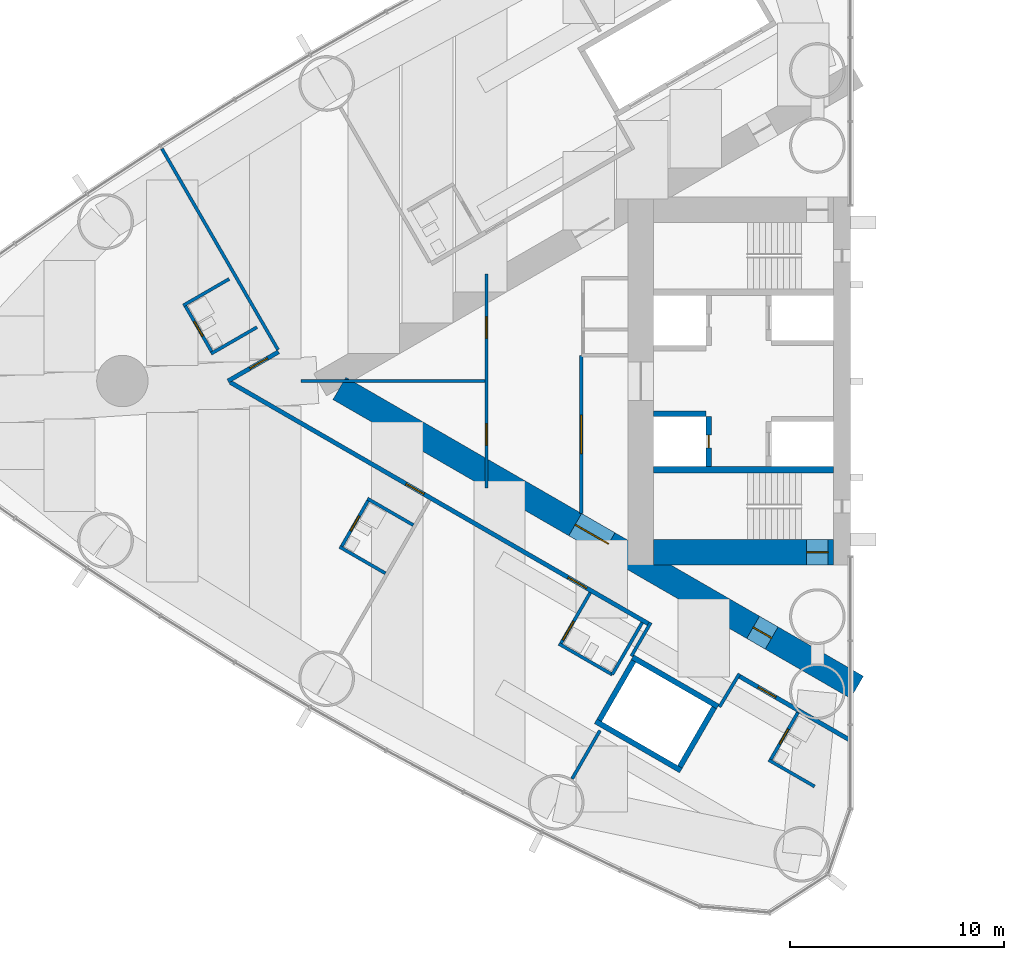
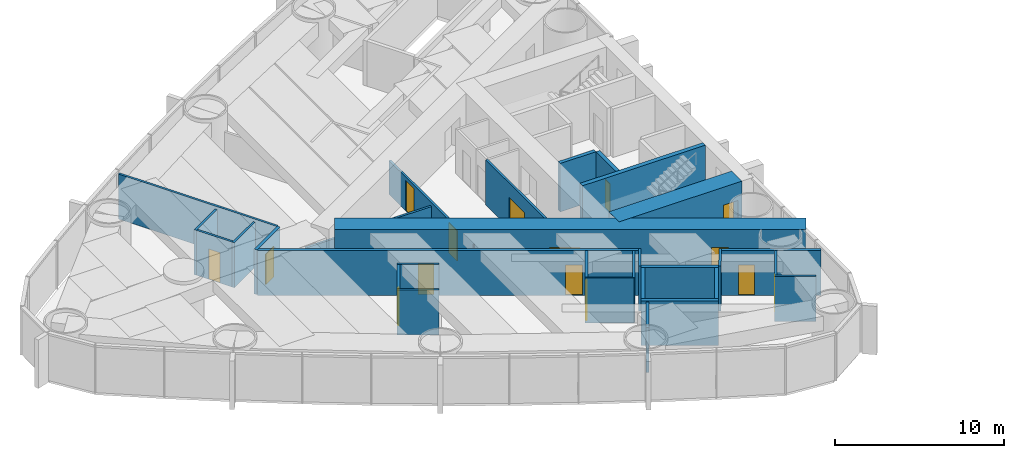
# One storey, part 11 of 19: 30 walls, 15 doors, 15 openings.
"""IFC4 building model written with IfcOpenShell, lengths in metres."""

from ifc_helpers import new_model, si_unit, direction, frame, frame_2d, origin, place, context, subcontext, project, spatial, rectangle, extrude, material, layer, layer_set, type_object, element, fill, save


model = new_model("IFC4")

# Units and contexts
model_context = context("Model", 3, precision=1e-05, world=origin(), true_north=direction((0.0, 1.0)))
body_context = subcontext(model_context, "Body", "Model", "MODEL_VIEW")
ifc_project = project(units=[si_unit("LENGTHUNIT", "METRE"), si_unit("AREAUNIT", "SQUARE_METRE"), si_unit("VOLUMEUNIT", "CUBIC_METRE"), si_unit("PLANEANGLEUNIT", "RADIAN"), si_unit("MASSUNIT", "GRAM", prefix="KILO")], contexts=[model_context])

# Site, building, storey
site_placement = place(None, origin())
site = spatial("IfcSite", under=ifc_project, at=site_placement, CompositionType="ELEMENT")
building_placement = place(site_placement, origin())
building = spatial("IfcBuilding", under=site, at=building_placement, Name="Lancet Gate Hotel", CompositionType="ELEMENT")
storey_placement = place(building_placement, frame((0.0, 0.0, 122.10009765625)))
storey = spatial("IfcBuildingStorey", under=building, at=storey_placement, Name="L32", CompositionType="ELEMENT", Elevation=122.10009765625)

# Wall
ifc_material_1 = material(Name="Moisture resistant board partition")
ifc_layer_1 = layer(ifc_material_1, 0.14990234375)
ifc_layer_set_1 = layer_set([ifc_layer_1], Name="Bathroom wall 150")
wall_type_1 = type_object("IfcWallType", Name="Bathroom wall 150", PredefinedType="PARTITIONING", material=ifc_layer_set_1)
wall_1_placement = place(storey_placement, frame((-56.51708984375, 4.763916015625, 0.0), z_axis=(0.0, 0.0, 1.0), x_axis=(-0.866031185235, -0.4999899861, 0.0)))
element("IfcWall", 1, at=wall_1_placement, inside=storey, type_object=wall_type_1, Name="T1 bathroom wall 150 L32", PredefinedType="PARTITIONING", context=body_context, shape_type="SweptSolid", body=[
    extrude(rectangle(XDim=2.47509765625, YDim=0.14990234375, at=frame_2d((1.237548828125, 0.0))), origin(), (0.0, 0.0, 1.0), 3.25),
])

# Wall, opening, door
wall_2_placement = place(storey_placement, frame((-57.295654296875, 1.312255859375, 0.0), z_axis=(0.0, 0.0, 1.0), x_axis=(-0.49997716683, 0.86603858612, 0.0)))
wall_2 = element("IfcWall", 2, at=wall_2_placement, inside=storey, type_object=wall_type_1, Name="T1 bathroom wall 150 L32", PredefinedType="PARTITIONING", context=body_context, shape_type="SweptSolid", body=[
    extrude(rectangle(XDim=2.599609375, YDim=0.14990234375, at=frame_2d((1.2998046875, 0.0))), origin(), (0.0, 0.0, 1.0), 3.25),
])
opening_1_placement = place(wall_2_placement, frame((0.89990234375, 0.0, 0.0)))
opening_1 = element("IfcOpeningElement", 3, at=opening_1_placement, cuts=wall_2, Name="Opening 3204-B", PredefinedType="OPENING", context=body_context, shape_type="SweptSolid", body=[
    extrude(rectangle(XDim=0.800048828125, YDim=2.199951171875, at=frame_2d((0.39990234375, 1.10009765625))), frame((0.0, 0.0849609375, 0.0), z_axis=(0.0, -1.0, 0.0), x_axis=(1.0, 0.0, 0.0)), (0.0, 0.0, 1.0), 0.169921875),
])
ifc_material_2 = material(Name="Timber door set", Category="wood")
door_type_1 = type_object("IfcDoorType", Name="Bathroom door 800", OperationType="SINGLE_SWING_RIGHT", PredefinedType="DOOR", material=ifc_material_2)
door_1_placement = place(opening_1_placement, origin())
door_1 = element("IfcDoor", 4, at=door_1_placement, inside=storey, type_object=door_type_1, Name="3204-B", OperationType="SINGLE_SWING_RIGHT", OverallHeight=2.199951171875, OverallWidth=0.800048828125, PredefinedType="DOOR", context=body_context, shape_type="SweptSolid", body=[
    extrude(rectangle(XDim=0.800048828125, YDim=2.199951171875, at=frame_2d((0.39990234375, 1.10009765625))), frame((0.0, 0.02490234375, 0.0), z_axis=(0.0, -1.0, 0.0), x_axis=(1.0, 0.0, 0.0)), (0.0, 0.0, 1.0), 0.050048828125),
])
fill(opening_1, door_1)

# Walls
for number, where, z_axis, x_axis, name in (
    (5, (-55.217041015625, 2.51220703125, 0.0), (0.0, 0.0, 1.0), (-0.866031185235, -0.4999899861, 0.0), "T1 bathroom wall 150 L32"),
    (6, (-49.216064453125, -8.97900390625, 0.0), (0.0, 0.0, 1.0), (-0.866031185235, 0.4999899861, 0.0), "T1 bathroom wall 150 L32"),
):
    element("IfcWall", number, at=place(storey_placement, frame(where, z_axis=z_axis, x_axis=x_axis)), inside=storey, type_object=wall_type_1, Name=name, PredefinedType="PARTITIONING", context=body_context, shape_type="SweptSolid", body=[
        extrude(rectangle(XDim=2.47509765625, YDim=0.14990234375, at=frame_2d((1.237548828125, 0.0))), origin(), (0.0, 0.0, 1.0), 3.25),
    ])

# Wall, opening, door
wall_3_placement = place(storey_placement, frame((-49.99462890625, -5.52734375, 0.0), z_axis=(0.0, 0.0, 1.0), x_axis=(-0.500006934395, -0.866021400173, 0.0)))
wall_3 = element("IfcWall", 7, at=wall_3_placement, inside=storey, type_object=wall_type_1, Name="T1 bathroom wall 150 L32", PredefinedType="PARTITIONING", context=body_context, shape_type="SweptSolid", body=[
    extrude(rectangle(XDim=2.60009765625, YDim=0.14990234375, at=frame_2d((1.300048828125, 0.0))), origin(), (0.0, 0.0, 1.0), 3.25),
])
opening_2_placement = place(wall_3_placement, frame((0.89990234375, 0.0, 0.0)))
opening_2 = element("IfcOpeningElement", 8, at=opening_2_placement, cuts=wall_3, Name="Opening 3205-B", PredefinedType="OPENING", context=body_context, shape_type="SweptSolid", body=[
    extrude(rectangle(XDim=0.800048828125, YDim=2.199951171875, at=frame_2d((0.39990234375, 1.10009765625))), frame((0.0, 0.0849609375, 0.0), z_axis=(0.0, -1.0, 0.0), x_axis=(1.0, 0.0, 0.0)), (0.0, 0.0, 1.0), 0.169921875),
])
door_2_placement = place(opening_2_placement, origin())
door_2 = element("IfcDoor", 9, at=door_2_placement, inside=storey, type_object=door_type_1, Name="3205-B", OperationType="SINGLE_SWING_RIGHT", OverallHeight=2.199951171875, OverallWidth=0.800048828125, PredefinedType="DOOR", context=body_context, shape_type="SweptSolid", body=[
    extrude(rectangle(XDim=0.800048828125, YDim=2.199951171875, at=frame_2d((0.39990234375, 1.10009765625))), frame((0.0, 0.02490234375, 0.0), z_axis=(0.0, -1.0, 0.0), x_axis=(1.0, 0.0, 0.0)), (0.0, 0.0, 1.0), 0.050048828125),
])
fill(opening_2, door_2)

# Walls
wall_4_placement = place(storey_placement, frame((-47.916015625, -6.727294921875, 0.0), z_axis=(0.0, 0.0, 1.0), x_axis=(-0.866031185235, 0.4999899861, 0.0)))
element("IfcWall", 10, at=wall_4_placement, inside=storey, type_object=wall_type_1, Name="T1 bathroom wall 150 L32", PredefinedType="PARTITIONING", context=body_context, shape_type="SweptSolid", body=[
    extrude(rectangle(XDim=2.47509765625, YDim=0.14990234375, at=frame_2d((1.237548828125, 0.0))), origin(), (0.0, 0.0, 1.0), 3.25),
])
wall_5_placement = place(storey_placement, frame((-38.630126953125, -13.705322265625, 0.0), z_axis=(0.0, 0.0, 1.0), x_axis=(-0.866018712932, 0.500011588718, 0.0)))
element("IfcWall", 11, at=wall_5_placement, inside=storey, type_object=wall_type_1, Name="T1 bathroom wall 150 L32", PredefinedType="PARTITIONING", context=body_context, shape_type="SweptSolid", body=[
    extrude(rectangle(XDim=2.875, YDim=0.14990234375, at=frame_2d((1.4375, 0.0))), origin(), (0.0, 0.0, 1.0), 3.25),
])

# Wall, opening, door
wall_6_placement = place(storey_placement, frame((-39.65478515625, -9.88037109375, 0.0), z_axis=(0.0, 0.0, 1.0), x_axis=(-0.500049511043, -0.865996816683, 0.0)))
wall_6 = element("IfcWall", 12, at=wall_6_placement, inside=storey, type_object=wall_type_1, Name="T1 bathroom wall 150 L32", PredefinedType="PARTITIONING", context=body_context, shape_type="SweptSolid", body=[
    extrude(rectangle(XDim=2.800048828125, YDim=0.14990234375, at=frame_2d((1.39990234375, 0.0))), origin(), (0.0, 0.0, 1.0), 3.25),
])
opening_3_placement = place(wall_6_placement, frame((1.550048828125, 0.0, 0.0)))
opening_3 = element("IfcOpeningElement", 13, at=opening_3_placement, cuts=wall_6, Name="Opening 3207-B", PredefinedType="OPENING", context=body_context, shape_type="SweptSolid", body=[
    extrude(rectangle(XDim=1.0, YDim=2.199951171875, at=frame_2d((0.5, 1.10009765625))), frame((0.0, 0.0849609375, 0.0), z_axis=(0.0, -1.0, 0.0), x_axis=(1.0, 0.0, 0.0)), (0.0, 0.0, 1.0), 0.169921875),
])
ifc_material_3 = material(Name="Timber door set", Category="wood")
door_type_2 = type_object("IfcDoorType", Name="Accessible en-suite door 1000", OperationType="SINGLE_SWING_RIGHT", PredefinedType="DOOR", material=ifc_material_3)
door_3_placement = place(opening_3_placement, origin())
door_3 = element("IfcDoor", 14, at=door_3_placement, inside=storey, type_object=door_type_2, Name="3207-B", OperationType="SINGLE_SWING_RIGHT", OverallHeight=2.199951171875, OverallWidth=1.0, PredefinedType="DOOR", context=body_context, shape_type="SweptSolid", body=[
    extrude(rectangle(XDim=1.0, YDim=2.199951171875, at=frame_2d((0.5, 1.10009765625))), frame((0.0, 0.02490234375, 0.0), z_axis=(0.0, -1.0, 0.0), x_axis=(1.0, 0.0, 0.0)), (0.0, 0.0, 1.0), 0.050048828125),
])
fill(opening_3, door_3)

# Walls
wall_7_placement = place(storey_placement, frame((-37.22998046875, -11.280517578125, 0.0), z_axis=(0.0, 0.0, 1.0), x_axis=(-0.500049511043, -0.865996816683, 0.0)))
element("IfcWall", 15, at=wall_7_placement, inside=storey, type_object=wall_type_1, Name="T1 bathroom wall 150 L32", PredefinedType="PARTITIONING", context=body_context, shape_type="SweptSolid", body=[
    extrude(rectangle(XDim=2.800048828125, YDim=0.14990234375, at=frame_2d((1.39990234375, 0.0))), origin(), (0.0, 0.0, 1.0), 3.25),
])
wall_8_placement = place(storey_placement, frame((-29.181884765625, -18.92919921875, 0.0), z_axis=(0.0, 0.0, 1.0), x_axis=(-0.866006523861, 0.500032699561, 0.0)))
element("IfcWall", 16, at=wall_8_placement, inside=storey, type_object=wall_type_1, Name="T1 bathroom wall 150 L32", PredefinedType="PARTITIONING", context=body_context, shape_type="SweptSolid", body=[
    extrude(rectangle(XDim=2.474853515625, YDim=0.14990234375, at=frame_2d((1.2373046875, 0.0))), origin(), (0.0, 0.0, 1.0), 3.25),
])

# Wall, opening, door
wall_9_placement = place(storey_placement, frame((-29.960205078125, -15.4775390625, 0.0), z_axis=(0.0, 0.0, 1.0), x_axis=(-0.500006934395, -0.866021400173, 0.0)))
wall_9 = element("IfcWall", 17, at=wall_9_placement, inside=storey, type_object=wall_type_1, Name="T1 bathroom wall 150 L32", PredefinedType="PARTITIONING", context=body_context, shape_type="SweptSolid", body=[
    extrude(rectangle(XDim=2.60009765625, YDim=0.14990234375, at=frame_2d((1.300048828125, 0.0))), origin(), (0.0, 0.0, 1.0), 3.25),
])
opening_4_placement = place(wall_9_placement, frame((0.89990234375, 0.0, 0.0)))
opening_4 = element("IfcOpeningElement", 18, at=opening_4_placement, cuts=wall_9, Name="Opening 3208-B", PredefinedType="OPENING", context=body_context, shape_type="SweptSolid", body=[
    extrude(rectangle(XDim=0.800048828125, YDim=2.199951171875, at=frame_2d((0.39990234375, 1.10009765625))), frame((0.0, 0.0849609375, 0.0), z_axis=(0.0, -1.0, 0.0), x_axis=(1.0, 0.0, 0.0)), (0.0, 0.0, 1.0), 0.169921875),
])
door_4_placement = place(opening_4_placement, origin())
door_4 = element("IfcDoor", 19, at=door_4_placement, inside=storey, type_object=door_type_1, Name="3208-B", OperationType="SINGLE_SWING_RIGHT", OverallHeight=2.199951171875, OverallWidth=0.800048828125, PredefinedType="DOOR", context=body_context, shape_type="SweptSolid", body=[
    extrude(rectangle(XDim=0.800048828125, YDim=2.199951171875, at=frame_2d((0.39990234375, 1.10009765625))), frame((0.0, 0.02490234375, 0.0), z_axis=(0.0, -1.0, 0.0), x_axis=(1.0, 0.0, 0.0)), (0.0, 0.0, 1.0), 0.050048828125),
])
fill(opening_4, door_4)

# Wall, openings, doors
ifc_material_4 = material(Name="Concrete C70/85", Category="concrete")
ifc_layer_2 = layer(ifc_material_4, 1.199951171875)
ifc_layer_set_2 = layer_set([ifc_layer_2], Name="Buttress wall 1200")
wall_type_2 = type_object("IfcWallType", Name="Buttress wall 1200", PredefinedType="SHEAR", material=ifc_layer_set_2)
wall_10_placement = place(storey_placement, frame((-27.199951171875, -14.300048828125, 0.0), z_axis=(0.0, 0.0, 1.0), x_axis=(-0.866024021859, 0.500002393557, 0.0)))
wall_10 = element("IfcWall", 20, at=wall_10_placement, inside=storey, type_object=wall_type_2, Name="T1 buttress wall N L32", PredefinedType="SHEAR", context=body_context, shape_type="SweptSolid", body=[
    extrude(rectangle(XDim=27.906982421875, YDim=1.199951171875, at=frame_2d((13.95361328125, 0.0))), origin(), (0.0, 0.0, 1.0), 3.5),
])
opening_5_placement = place(wall_10_placement, frame((4.60009765625, 0.0, 0.0)))
opening_5 = element("IfcOpeningElement", 21, at=opening_5_placement, cuts=wall_10, Name="Opening T1-L32-LN", PredefinedType="OPENING", context=body_context, shape_type="SweptSolid", body=[
    extrude(rectangle(XDim=1.0, YDim=2.199951171875, at=frame_2d((0.5, 1.10009765625))), frame((0.0, 0.60986328125, 0.0), z_axis=(0.0, -1.0, 0.0), x_axis=(1.0, 0.0, 0.0)), (0.0, 0.0, 1.0), 1.219970703125),
])
opening_6_placement = place(wall_10_placement, frame((13.39453125, 0.0, 0.0)))
opening_6 = element("IfcOpeningElement", 22, at=opening_6_placement, cuts=wall_10, Name="Opening T1-L32-LHN", PredefinedType="OPENING", context=body_context, shape_type="SweptSolid", body=[
    extrude(rectangle(XDim=1.800048828125, YDim=2.199951171875, at=frame_2d((0.89990234375, 1.10009765625))), frame((0.0, 0.60986328125, 0.0), z_axis=(0.0, -1.0, 0.0), x_axis=(1.0, 0.0, 0.0)), (0.0, 0.0, 1.0), 1.219970703125),
])
ifc_material_5 = material(Name="Timber door set", Category="wood")
door_type_3 = type_object("IfcDoorType", Name="Lobby double door 1800", OperationType="DOUBLE_DOOR_SINGLE_SWING", PredefinedType="DOOR", material=ifc_material_5)
door_5_placement = place(opening_6_placement, origin())
door_5 = element("IfcDoor", 23, at=door_5_placement, inside=storey, type_object=door_type_3, Name="T1-L32-LHN", OperationType="DOUBLE_DOOR_SINGLE_SWING", OverallHeight=2.199951171875, OverallWidth=1.800048828125, PredefinedType="DOOR", context=body_context, shape_type="SweptSolid", body=[
    extrude(rectangle(XDim=1.800048828125, YDim=2.199951171875, at=frame_2d((0.89990234375, 1.10009765625))), frame((0.0, 0.02490234375, 0.0), z_axis=(0.0, -1.0, 0.0), x_axis=(1.0, 0.0, 0.0)), (0.0, 0.0, 1.0), 0.050048828125),
])
fill(opening_6, door_5)
ifc_material_6 = material(Name="Timber door set", Category="wood")
door_type_4 = type_object("IfcDoorType", Name="Stair lobby door 1000", OperationType="SINGLE_SWING_LEFT", PredefinedType="DOOR", material=ifc_material_6)
door_6_placement = place(opening_5_placement, origin())
door_6 = element("IfcDoor", 24, at=door_6_placement, inside=storey, type_object=door_type_4, Name="T1-L32-LN", OperationType="SINGLE_SWING_LEFT", OverallHeight=2.199951171875, OverallWidth=1.0, PredefinedType="DOOR", context=body_context, shape_type="SweptSolid", body=[
    extrude(rectangle(XDim=1.0, YDim=2.199951171875, at=frame_2d((0.5, 1.10009765625))), frame((0.0, 0.02490234375, 0.0), z_axis=(0.0, -1.0, 0.0), x_axis=(1.0, 0.0, 0.0)), (0.0, 0.0, 1.0), 0.050048828125),
])
fill(opening_5, door_6)

# Wall, opening, door
ifc_material_7 = material(Name="Concrete C70/85", Category="concrete")
ifc_layer_3 = layer(ifc_material_7, 1.199951171875)
ifc_layer_set_3 = layer_set([ifc_layer_3], Name="Core wall 1200")
wall_type_3 = type_object("IfcWallType", Name="Core wall 1200", PredefinedType="SHEAR", material=ifc_layer_set_3)
wall_11_placement = place(storey_placement, frame((-28.300048828125, -8.0, 0.0), z_axis=(0.0, 0.0, 1.0), x_axis=(-1.0, 0.0, 0.0)))
wall_11 = element("IfcWall", 25, at=wall_11_placement, inside=storey, type_object=wall_type_3, Name="T1 core wall side-N L32", PredefinedType="SHEAR", context=body_context, shape_type="SweptSolid", body=[
    extrude(rectangle(XDim=8.39990234375, YDim=1.199951171875, at=frame_2d((4.199951171875, 0.0))), origin(), (0.0, 0.0, 1.0), 3.5),
])
opening_7_placement = place(wall_11_placement, frame((0.25, 0.0, 0.0)))
opening_7 = element("IfcOpeningElement", 26, at=opening_7_placement, cuts=wall_11, Name="Opening T1-L32-ST2", PredefinedType="OPENING", context=body_context, shape_type="SweptSolid", body=[
    extrude(rectangle(XDim=1.0, YDim=2.199951171875, at=frame_2d((0.5, 1.10009765625))), frame((0.0, 0.60986328125, 0.0), z_axis=(0.0, -1.0, 0.0), x_axis=(1.0, 0.0, 0.0)), (0.0, 0.0, 1.0), 1.219970703125),
])
ifc_material_8 = material(Name="Timber door set", Category="wood")
door_type_5 = type_object("IfcDoorType", Name="Stair door 1000", OperationType="SINGLE_SWING_RIGHT", PredefinedType="DOOR", material=ifc_material_8)
door_7_placement = place(opening_7_placement, origin())
door_7 = element("IfcDoor", 27, at=door_7_placement, inside=storey, type_object=door_type_5, Name="T1-L32-ST2", OperationType="SINGLE_SWING_RIGHT", OverallHeight=2.199951171875, OverallWidth=1.0, PredefinedType="DOOR", context=body_context, shape_type="SweptSolid", body=[
    extrude(rectangle(XDim=1.0, YDim=2.199951171875, at=frame_2d((0.5, 1.10009765625))), frame((0.0, 0.02490234375, 0.0), z_axis=(0.0, -1.0, 0.0), x_axis=(1.0, 0.0, 0.0)), (0.0, 0.0, 1.0), 0.050048828125),
])
fill(opening_7, door_7)

ifc_material_9 = material(Name="Gypsum board partition")
ifc_layer_4 = layer(ifc_material_9, 0.199951171875)
ifc_layer_set_4 = layer_set([ifc_layer_4], Name="Corridor wall 200")
wall_type_4 = type_object("IfcWallType", Name="Corridor wall 200", PredefinedType="PARTITIONING", material=ifc_layer_set_4)
wall_12_placement = place(storey_placement, frame((-27.572021484375, -16.740966796875, 0.0), z_axis=(0.0, 0.0, 1.0), x_axis=(-0.866024464444, 0.500001626982, 0.0)))
wall_12 = element("IfcWall", 28, at=wall_12_placement, inside=storey, type_object=wall_type_4, Name="T1 corridor wall 200 L32", PredefinedType="PARTITIONING", context=body_context, shape_type="SweptSolid", body=[
    extrude(rectangle(XDim=5.955078125, YDim=0.199951171875, at=frame_2d((2.9775390625, 0.0))), origin(), (0.0, 0.0, 1.0), 3.25),
])
opening_8_placement = place(wall_12_placement, frame((3.949951171875, 0.0, 0.0)))
opening_8 = element("IfcOpeningElement", 29, at=opening_8_placement, cuts=wall_12, Name="Opening 3208-E", PredefinedType="OPENING", context=body_context, shape_type="SweptSolid", body=[
    extrude(rectangle(XDim=0.949951171875, YDim=2.199951171875, at=frame_2d((0.47509765625, 1.10009765625))), frame((0.0, 0.10986328125, 0.0), z_axis=(0.0, -1.0, 0.0), x_axis=(1.0, 0.0, 0.0)), (0.0, 0.0, 1.0), 0.219970703125),
])
ifc_material_10 = material(Name="Timber door set", Category="wood")
door_type_6 = type_object("IfcDoorType", Name="Guest room entry door 950", OperationType="SINGLE_SWING_LEFT", PredefinedType="DOOR", material=ifc_material_10)
door_8_placement = place(opening_8_placement, origin())
door_8 = element("IfcDoor", 30, at=door_8_placement, inside=storey, type_object=door_type_6, Name="3208-E", OperationType="SINGLE_SWING_LEFT", OverallHeight=2.199951171875, OverallWidth=0.949951171875, PredefinedType="DOOR", context=body_context, shape_type="SweptSolid", body=[
    extrude(rectangle(XDim=0.949951171875, YDim=2.199951171875, at=frame_2d((0.47509765625, 1.10009765625))), frame((0.0, 0.02490234375, 0.0), z_axis=(0.0, -1.0, 0.0), x_axis=(1.0, 0.0, 0.0)), (0.0, 0.0, 1.0), 0.050048828125),
])
fill(opening_8, door_8)

# Wall, openings, doors
wall_13_placement = place(storey_placement, frame((-36.920166015625, -11.34375, 0.0), z_axis=(0.0, 0.0, 1.0), x_axis=(-0.866028313256, 0.499994960614, 0.0)))
wall_13 = element("IfcWall", 31, at=wall_13_placement, inside=storey, type_object=wall_type_4, Name="T1 corridor wall 200 L32", PredefinedType="PARTITIONING", context=body_context, shape_type="SweptSolid", body=[
    extrude(rectangle(XDim=22.567626953125, YDim=0.199951171875, at=frame_2d((11.28369140625, 0.0))), origin(), (0.0, 0.0, 1.0), 3.25),
])
opening_9_placement = place(wall_13_placement, frame((12.130859375, 0.0, 0.0)))
opening_9 = element("IfcOpeningElement", 32, at=opening_9_placement, cuts=wall_13, Name="Opening 3205-E", PredefinedType="OPENING", context=body_context, shape_type="SweptSolid", body=[
    extrude(rectangle(XDim=0.949951171875, YDim=2.199951171875, at=frame_2d((0.47509765625, 1.10009765625))), frame((0.0, 0.10986328125, 0.0), z_axis=(0.0, -1.0, 0.0), x_axis=(1.0, 0.0, 0.0)), (0.0, 0.0, 1.0), 0.219970703125),
])
opening_10_placement = place(wall_13_placement, frame((3.35009765625, 0.0, 0.0)))
opening_10 = element("IfcOpeningElement", 33, at=opening_10_placement, cuts=wall_13, Name="Opening 3207-E", PredefinedType="OPENING", context=body_context, shape_type="SweptSolid", body=[
    extrude(rectangle(XDim=1.0, YDim=2.199951171875, at=frame_2d((0.5, 1.10009765625))), frame((0.0, 0.10986328125, 0.0), z_axis=(0.0, -1.0, 0.0), x_axis=(1.0, 0.0, 0.0)), (0.0, 0.0, 1.0), 0.219970703125),
])
ifc_material_11 = material(Name="Timber door set", Category="wood")
door_type_7 = type_object("IfcDoorType", Name="Accessible guest room door 1000", OperationType="SINGLE_SWING_LEFT", PredefinedType="DOOR", material=ifc_material_11)
door_9_placement = place(opening_10_placement, origin())
door_9 = element("IfcDoor", 34, at=door_9_placement, inside=storey, type_object=door_type_7, Name="3207-E", OperationType="SINGLE_SWING_LEFT", OverallHeight=2.199951171875, OverallWidth=1.0, PredefinedType="DOOR", context=body_context, shape_type="SweptSolid", body=[
    extrude(rectangle(XDim=1.0, YDim=2.199951171875, at=frame_2d((0.5, 1.10009765625))), frame((0.0, 0.02490234375, 0.0), z_axis=(0.0, -1.0, 0.0), x_axis=(1.0, 0.0, 0.0)), (0.0, 0.0, 1.0), 0.050048828125),
])
fill(opening_10, door_9)
door_10_placement = place(opening_9_placement, origin())
door_10 = element("IfcDoor", 35, at=door_10_placement, inside=storey, type_object=door_type_6, Name="3205-E", OperationType="SINGLE_SWING_LEFT", OverallHeight=2.199951171875, OverallWidth=0.949951171875, PredefinedType="DOOR", context=body_context, shape_type="SweptSolid", body=[
    extrude(rectangle(XDim=0.949951171875, YDim=2.199951171875, at=frame_2d((0.47509765625, 1.10009765625))), frame((0.0, 0.02490234375, 0.0), z_axis=(0.0, -1.0, 0.0), x_axis=(1.0, 0.0, 0.0)), (0.0, 0.0, 1.0), 0.050048828125),
])
fill(opening_9, door_10)

# Wall, opening, door
wall_14_placement = place(storey_placement, frame((-54.207275390625, 1.363037109375, 0.0), z_axis=(0.0, 0.0, 1.0), x_axis=(-0.866046902845, -0.499962760685, 0.0)))
wall_14 = element("IfcWall", 36, at=wall_14_placement, inside=storey, type_object=wall_type_4, Name="T1 corridor wall 200 L32", PredefinedType="PARTITIONING", context=body_context, shape_type="SweptSolid", body=[
    extrude(rectangle(XDim=2.726318359375, YDim=0.199951171875, at=frame_2d((1.36328125, 0.0))), origin(), (0.0, 0.0, 1.0), 3.25),
])
opening_11_placement = place(wall_14_placement, frame((0.60009765625, 0.0, 0.0)))
opening_11 = element("IfcOpeningElement", 37, at=opening_11_placement, cuts=wall_14, Name="Opening 3204-E", PredefinedType="OPENING", context=body_context, shape_type="SweptSolid", body=[
    extrude(rectangle(XDim=0.949951171875, YDim=2.199951171875, at=frame_2d((0.47509765625, 1.10009765625))), frame((0.0, 0.10986328125, 0.0), z_axis=(0.0, -1.0, 0.0), x_axis=(1.0, 0.0, 0.0)), (0.0, 0.0, 1.0), 0.219970703125),
])
door_11_placement = place(opening_11_placement, origin())
door_11 = element("IfcDoor", 38, at=door_11_placement, inside=storey, type_object=door_type_6, Name="3204-E", OperationType="SINGLE_SWING_LEFT", OverallHeight=2.199951171875, OverallWidth=0.949951171875, PredefinedType="DOOR", context=body_context, shape_type="SweptSolid", body=[
    extrude(rectangle(XDim=0.949951171875, YDim=2.199951171875, at=frame_2d((0.47509765625, 1.10009765625))), frame((0.0, 0.02490234375, 0.0), z_axis=(0.0, -1.0, 0.0), x_axis=(1.0, 0.0, 0.0)), (0.0, 0.0, 1.0), 0.050048828125),
])
fill(opening_11, door_11)

# Walls
ifc_material_12 = material(Name="Gypsum board partition")
ifc_layer_5 = layer(ifc_material_12, 0.25)
ifc_layer_set_5 = layer_set([ifc_layer_5], Name="Lift shaft partition 250")
wall_type_5 = type_object("IfcWallType", Name="Lift shaft partition 250", PredefinedType="PARTITIONING", material=ifc_layer_set_5)
wall_15_placement = place(storey_placement, frame((-33.695556640625, -15.197265625, 0.0), z_axis=(0.0, 0.0, 1.0), x_axis=(-0.865976953817, 0.500083908417, 0.0)))
element("IfcWall", 39, at=wall_15_placement, inside=storey, type_object=wall_type_5, Name="T1 lift shaft wall EX L32", PredefinedType="PARTITIONING", context=body_context, shape_type="SweptSolid", body=[
    extrude(rectangle(XDim=4.599365234375, YDim=0.25, at=frame_2d((2.2998046875, 0.0))), origin(), (0.0, 0.0, 1.0), 3.25),
])
wall_16_placement = place(storey_placement, frame((-35.42041015625, -18.185791015625, 0.0), z_axis=(0.0, 0.0, 1.0), x_axis=(-0.865990227814, 0.50006092162, 0.0)))
element("IfcWall", 40, at=wall_16_placement, inside=storey, type_object=wall_type_5, Name="T1 lift shaft wall EX L32", PredefinedType="PARTITIONING", context=body_context, shape_type="SweptSolid", body=[
    extrude(rectangle(XDim=4.599609375, YDim=0.25, at=frame_2d((2.2998046875, 0.0))), origin(), (0.0, 0.0, 1.0), 3.25),
])
wall_17_placement = place(storey_placement, frame((-33.8662109375, -15.242919921875, 0.0), z_axis=(0.0, 0.0, 1.0), x_axis=(-0.499929347863, -0.866066190972, 0.0)))
element("IfcWall", 41, at=wall_17_placement, inside=storey, type_object=wall_type_5, Name="T1 lift shaft wall EX L32", PredefinedType="PARTITIONING", context=body_context, shape_type="SweptSolid", body=[
    extrude(rectangle(XDim=3.20068359375, YDim=0.25, at=frame_2d((1.600341796875, 0.0))), origin(), (0.0, 0.0, 1.0), 3.25),
])
wall_18_placement = place(storey_placement, frame((-37.6328125, -13.068115234375, 0.0), z_axis=(0.0, 0.0, 1.0), x_axis=(-0.499872130319, -0.866099216793, 0.0)))
element("IfcWall", 42, at=wall_18_placement, inside=storey, type_object=wall_type_5, Name="T1 lift shaft wall EX L32", PredefinedType="PARTITIONING", context=body_context, shape_type="SweptSolid", body=[
    extrude(rectangle(XDim=3.200439453125, YDim=0.25, at=frame_2d((1.60009765625, 0.0))), origin(), (0.0, 0.0, 1.0), 3.25),
])

# Wall, opening, door
ifc_material_13 = material(Name="Concrete C50/60", Category="concrete")
ifc_layer_6 = layer(ifc_material_13, 0.25)
ifc_layer_set_6 = layer_set([ifc_layer_6], Name="Lift shaft wall 250")
wall_type_6 = type_object("IfcWallType", Name="Lift shaft wall 250", PredefinedType="SHEAR", material=ifc_layer_set_6)
wall_19_placement = place(storey_placement, frame((-34.125, -1.64990234375, 0.0), z_axis=(0.0, 0.0, 1.0), x_axis=(0.0, -1.0, 0.0)))
wall_19 = element("IfcWall", 43, at=wall_19_placement, inside=storey, type_object=wall_type_6, Name="T1 core wall row2-N L32", PredefinedType="SHEAR", context=body_context, shape_type="SweptSolid", body=[
    extrude(rectangle(XDim=2.35009765625, YDim=0.25, at=frame_2d((1.175048828125, 0.0))), origin(), (0.0, 0.0, 1.0), 3.5),
])
opening_12_placement = place(wall_19_placement, frame((0.875, 0.0, 0.0)))
opening_12 = element("IfcOpeningElement", 44, at=opening_12_placement, cuts=wall_19, Name="Opening T1-OL4-L32-E", PredefinedType="OPENING", context=body_context, shape_type="SweptSolid", body=[
    extrude(rectangle(XDim=0.60009765625, YDim=2.0, at=frame_2d((0.300048828125, 1.0))), frame((0.0, 0.135009765625, 0.0), z_axis=(0.0, -1.0, 0.0), x_axis=(1.0, 0.0, 0.0)), (0.0, 0.0, 1.0), 0.27001953125),
])
ifc_material_14 = material(Name="Steel door set", Category="steel")
door_type_8 = type_object("IfcDoorType", Name="Lift shaft emergency door 600x2000", OperationType="SLIDING_TO_LEFT", PredefinedType="DOOR", material=ifc_material_14)
door_12_placement = place(opening_12_placement, origin())
door_12 = element("IfcDoor", 45, at=door_12_placement, inside=storey, type_object=door_type_8, Name="T1-OL4-L32-E", OperationType="SLIDING_TO_LEFT", OverallHeight=2.0, OverallWidth=0.60009765625, PredefinedType="DOOR", context=body_context, shape_type="SweptSolid", body=[
    extrude(rectangle(XDim=0.60009765625, YDim=2.0, at=frame_2d((0.300048828125, 1.0))), frame((0.0, 0.02490234375, 0.0), z_axis=(0.0, -1.0, 0.0), x_axis=(1.0, 0.0, 0.0)), (0.0, 0.0, 1.0), 0.050048828125),
])
fill(opening_12, door_12)

# Walls
wall_20_placement = place(storey_placement, frame((-34.25, -1.52490234375, 0.0), z_axis=(0.0, 0.0, 1.0), x_axis=(-1.0, 0.0, 0.0)))
element("IfcWall", 46, at=wall_20_placement, inside=storey, type_object=wall_type_6, Name="T1 core wall pass2-N L32", PredefinedType="SHEAR", context=body_context, shape_type="SweptSolid", body=[
    extrude(rectangle(XDim=2.449951171875, YDim=0.25, at=frame_2d((1.22509765625, 0.0))), origin(), (0.0, 0.0, 1.0), 3.5),
])
ifc_material_15 = material(Name="Gypsum board partition")
ifc_layer_7 = layer(ifc_material_15, 0.14990234375)
ifc_layer_set_7 = layer_set([ifc_layer_7], Name="Party wall 150")
wall_type_7 = type_object("IfcWallType", Name="Party wall 150", PredefinedType="PARTITIONING", material=ifc_layer_set_7)
wall_21_placement = place(storey_placement, frame((-54.235595703125, 1.462158203125, 0.0), z_axis=(0.0, 0.0, 1.0), x_axis=(-0.499990351854, 0.866030974073, 0.0)))
element("IfcWall", 47, at=wall_21_placement, inside=storey, type_object=wall_type_7, Name="T1 party wall 150 L32", PredefinedType="PARTITIONING", context=body_context, shape_type="SweptSolid", body=[
    extrude(rectangle(XDim=10.833740234375, YDim=0.14990234375, at=frame_2d((5.4169921875, 0.0))), origin(), (0.0, 0.0, 1.0), 3.25),
])
wall_22_placement = place(storey_placement, frame((-39.2021484375, -16.319580078125, 0.0), z_axis=(0.0, 0.0, 1.0), x_axis=(-0.49997716683, -0.86603858612, 0.0)))
element("IfcWall", 48, at=wall_22_placement, inside=storey, type_object=wall_type_7, Name="T1 party wall 150 L32", PredefinedType="PARTITIONING", context=body_context, shape_type="SweptSolid", body=[
    extrude(rectangle(XDim=2.599609375, YDim=0.14990234375, at=frame_2d((1.2998046875, 0.0))), origin(), (0.0, 0.0, 1.0), 3.25),
])
ifc_material_16 = material(Name="Gypsum board partition")
ifc_layer_8 = layer(ifc_material_16, 0.14990234375)
ifc_layer_set_8 = layer_set([ifc_layer_8], Name="Service room wall 150")
wall_type_8 = type_object("IfcWallType", Name="Service room wall 150", PredefinedType="PARTITIONING", material=ifc_layer_set_8)
wall_23_placement = place(storey_placement, frame((-36.831298828125, -11.27978515625, 0.0), z_axis=(0.0, 0.0, 1.0), x_axis=(-0.499937177781, -0.866061671171, 0.0)))
element("IfcWall", 49, at=wall_23_placement, inside=storey, type_object=wall_type_8, Name="T1 service room wall 150 L32", PredefinedType="PARTITIONING", context=body_context, shape_type="SweptSolid", body=[
    extrude(rectangle(XDim=1.804443359375, YDim=0.14990234375, at=frame_2d((0.90234375, 0.0))), origin(), (0.0, 0.0, 1.0), 3.25),
])
wall_24_placement = place(storey_placement, frame((-33.62060546875, -15.217529296875, 0.0), z_axis=(0.0, 0.0, 1.0), x_axis=(0.514336634837, 0.857588377991, 0.0)))
element("IfcWall", 50, at=wall_24_placement, inside=storey, type_object=wall_type_8, Name="T1 service room wall 150 L32", PredefinedType="PARTITIONING", context=body_context, shape_type="SweptSolid", body=[
    extrude(rectangle(XDim=1.80517578125, YDim=0.14990234375, at=frame_2d((0.902587890625, 0.0))), origin(), (0.0, 0.0, 1.0), 3.25),
])

# Wall, opening, door
wall_25_placement = place(storey_placement, frame((-40.074951171875, 1.199951171875, 0.0), z_axis=(0.0, 0.0, 1.0), x_axis=(0.0, -1.0, 0.0)))
wall_25 = element("IfcWall", 51, at=wall_25_placement, inside=storey, type_object=wall_type_8, Name="T1 service room wall 150 L32", PredefinedType="PARTITIONING", context=body_context, shape_type="SweptSolid", body=[
    extrude(rectangle(XDim=7.373779296875, YDim=0.14990234375, at=frame_2d((3.68701171875, 0.0))), origin(), (0.0, 0.0, 1.0), 3.25),
])
opening_13_placement = place(wall_25_placement, frame((2.786865234375, 0.0, 0.0)))
opening_13 = element("IfcOpeningElement", 52, at=opening_13_placement, cuts=wall_25, Name="Opening T1-L32-LH", PredefinedType="OPENING", context=body_context, shape_type="SweptSolid", body=[
    extrude(rectangle(XDim=1.800048828125, YDim=2.199951171875, at=frame_2d((0.89990234375, 1.10009765625))), frame((0.0, 0.0849609375, 0.0), z_axis=(0.0, -1.0, 0.0), x_axis=(1.0, 0.0, 0.0)), (0.0, 0.0, 1.0), 0.169921875),
])
door_13_placement = place(opening_13_placement, origin())
door_13 = element("IfcDoor", 53, at=door_13_placement, inside=storey, type_object=door_type_3, Name="T1-L32-LH", OperationType="DOUBLE_DOOR_SINGLE_SWING", OverallHeight=2.199951171875, OverallWidth=1.800048828125, PredefinedType="DOOR", context=body_context, shape_type="SweptSolid", body=[
    extrude(rectangle(XDim=1.800048828125, YDim=2.199951171875, at=frame_2d((0.89990234375, 1.10009765625))), frame((0.0, 0.02490234375, 0.0), z_axis=(0.0, -1.0, 0.0), x_axis=(1.0, 0.0, 0.0)), (0.0, 0.0, 1.0), 0.050048828125),
])
fill(opening_13, door_13)

# Wall, openings, doors
wall_26_placement = place(storey_placement, frame((-44.5, 5.004638671875, 0.0), z_axis=(0.0, 0.0, 1.0), x_axis=(0.0, -1.0, 0.0)))
wall_26 = element("IfcWall", 54, at=wall_26_placement, inside=storey, type_object=wall_type_8, Name="T1 service room wall 150 L32", PredefinedType="PARTITIONING", context=body_context, shape_type="SweptSolid", body=[
    extrude(rectangle(XDim=10.00927734375, YDim=0.14990234375, at=frame_2d((5.004638671875, 0.0))), origin(), (0.0, 0.0, 1.0), 2.449951171875),
])
opening_14_placement = place(wall_26_placement, frame((2.002197265625, 0.0, 0.0)))
opening_14 = element("IfcOpeningElement", 55, at=opening_14_placement, cuts=wall_26, Name="Opening T1-L32-SV", PredefinedType="OPENING", context=body_context, shape_type="SweptSolid", body=[
    extrude(rectangle(XDim=1.0, YDim=2.199951171875, at=frame_2d((0.5, 1.10009765625))), frame((0.0, 0.0849609375, 0.0), z_axis=(0.0, -1.0, 0.0), x_axis=(1.0, 0.0, 0.0)), (0.0, 0.0, 1.0), 0.169921875),
])
opening_15_placement = place(wall_26_placement, frame((7.0068359375, 0.0, 0.0)))
opening_15 = element("IfcOpeningElement", 56, at=opening_15_placement, cuts=wall_26, Name="Opening T1-L32-SV2", PredefinedType="OPENING", context=body_context, shape_type="SweptSolid", body=[
    extrude(rectangle(XDim=1.0, YDim=2.199951171875, at=frame_2d((0.5, 1.10009765625))), frame((0.0, 0.0849609375, 0.0), z_axis=(0.0, -1.0, 0.0), x_axis=(1.0, 0.0, 0.0)), (0.0, 0.0, 1.0), 0.169921875),
])
ifc_material_17 = material(Name="Timber door set", Category="wood")
door_type_9 = type_object("IfcDoorType", Name="Service door 1000", OperationType="SINGLE_SWING_LEFT", PredefinedType="DOOR", material=ifc_material_17)
door_14_placement = place(opening_14_placement, origin())
door_14 = element("IfcDoor", 57, at=door_14_placement, inside=storey, type_object=door_type_9, Name="T1-L32-SV", OperationType="SINGLE_SWING_LEFT", OverallHeight=2.199951171875, OverallWidth=1.0, PredefinedType="DOOR", context=body_context, shape_type="SweptSolid", body=[
    extrude(rectangle(XDim=1.0, YDim=2.199951171875, at=frame_2d((0.5, 1.10009765625))), frame((0.0, 0.02490234375, 0.0), z_axis=(0.0, -1.0, 0.0), x_axis=(1.0, 0.0, 0.0)), (0.0, 0.0, 1.0), 0.050048828125),
])
fill(opening_14, door_14)
door_15_placement = place(opening_15_placement, origin())
door_15 = element("IfcDoor", 58, at=door_15_placement, inside=storey, type_object=door_type_9, Name="T1-L32-SV2", OperationType="SINGLE_SWING_LEFT", OverallHeight=2.199951171875, OverallWidth=1.0, PredefinedType="DOOR", context=body_context, shape_type="SweptSolid", body=[
    extrude(rectangle(XDim=1.0, YDim=2.199951171875, at=frame_2d((0.5, 1.10009765625))), frame((0.0, 0.02490234375, 0.0), z_axis=(0.0, -1.0, 0.0), x_axis=(1.0, 0.0, 0.0)), (0.0, 0.0, 1.0), 0.050048828125),
])
fill(opening_15, door_15)

# Walls
wall_27_placement = place(storey_placement, frame((-44.574951171875, 0.0, 0.0), z_axis=(0.0, 0.0, 1.0), x_axis=(-1.0, 0.0, 0.0)))
element("IfcWall", 59, at=wall_27_placement, inside=storey, type_object=wall_type_8, Name="T1 service room wall 150 L32", PredefinedType="PARTITIONING", context=body_context, shape_type="SweptSolid", body=[
    extrude(rectangle(XDim=8.59326171875, YDim=0.14990234375, at=frame_2d((4.296630859375, 0.0))), origin(), (0.0, 0.0, 1.0), 2.199951171875),
])
ifc_material_18 = material(Name="Concrete C50/60", Category="concrete")
ifc_layer_9 = layer(ifc_material_18, 0.300048828125)
ifc_layer_set_9 = layer_set([ifc_layer_9], Name="Stair enclosure wall 300")
wall_type_9 = type_object("IfcWallType", Name="Stair enclosure wall 300", PredefinedType="SHEAR", material=ifc_layer_set_9)
wall_28_placement = place(storey_placement, frame((-28.300048828125, -4.14990234375, 0.0), z_axis=(0.0, 0.0, 1.0), x_axis=(-1.0, 0.0, 0.0)))
element("IfcWall", 60, at=wall_28_placement, inside=storey, type_object=wall_type_9, Name="T1 core wall stair-N L32", PredefinedType="SHEAR", context=body_context, shape_type="SweptSolid", body=[
    extrude(rectangle(XDim=8.39990234375, YDim=0.300048828125, at=frame_2d((4.199951171875, 0.0))), origin(), (0.0, 0.0, 1.0), 3.5),
])

save(model, "model.ifc")
